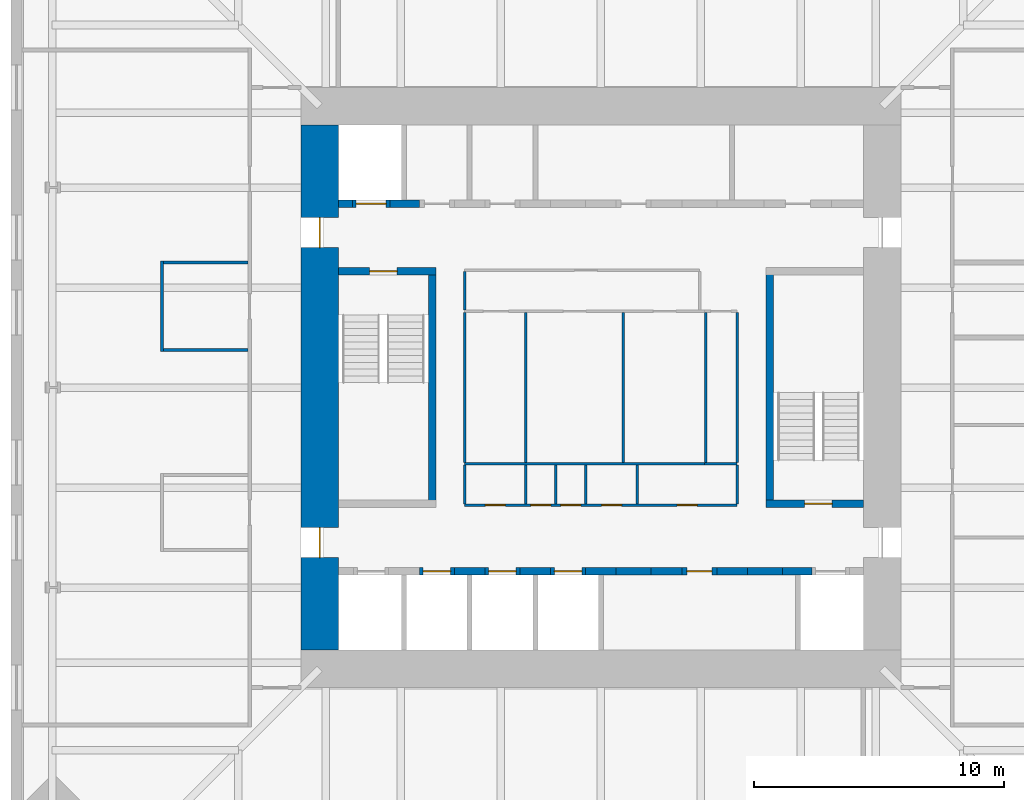
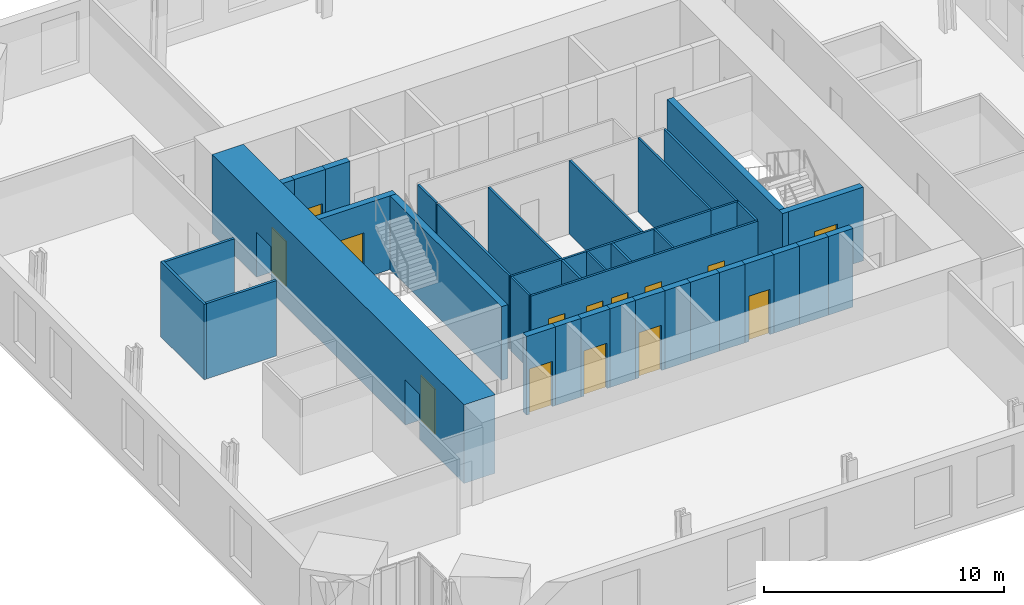
# One storey, part 11 of 14: 38 walls, 14 doors, 14 openings.
"""IFC4 building model written with IfcOpenShell, lengths in metres."""

from ifc_helpers import new_model, si_unit, direction, frame, frame_2d, origin, place, context, subcontext, project, spatial, rectangle, extrude, material, layer, layer_set, type_object, element, fill, save


model = new_model("IFC4")

# Units and contexts
model_context = context("Model", 3, precision=1e-05, world=origin(), true_north=direction((0.0, 1.0)))
body_context = subcontext(model_context, "Body", "Model", "MODEL_VIEW")
ifc_project = project(units=[si_unit("LENGTHUNIT", "METRE"), si_unit("AREAUNIT", "SQUARE_METRE"), si_unit("VOLUMEUNIT", "CUBIC_METRE"), si_unit("PLANEANGLEUNIT", "RADIAN"), si_unit("MASSUNIT", "GRAM", prefix="KILO")], contexts=[model_context])

# Site, building, storey
site_placement = place(None, origin())
site = spatial("IfcSite", under=ifc_project, at=site_placement, CompositionType="ELEMENT")
building_placement = place(site_placement, origin())
building = spatial("IfcBuilding", under=site, at=building_placement, Name="Peilmerk Tower", CompositionType="ELEMENT")
storey_placement = place(building_placement, frame((0.0, 0.0, 221.800048828125)))
storey = spatial("IfcBuildingStorey", under=building, at=storey_placement, Name="L48", CompositionType="ELEMENT", Elevation=221.800048828125)

# Wall
ifc_material_1 = material(Name="Concrete C35/45", Category="concrete")
ifc_layer_1 = layer(ifc_material_1, 0.300048828125)
ifc_layer_set_1 = layer_set([ifc_layer_1], Name="Concrete C35/45")
wall_type_1 = type_object("IfcWallType", Name="IW3 300 concrete stair enclosure wall, EI 120", PredefinedType="SOLIDWALL", material=ifc_layer_set_1)
wall_1_placement = place(storey_placement, frame((-6.75, -4.800048828125, 0.0), z_axis=(0.0, 0.0, 1.0), x_axis=(0.0, 1.0, 0.0)))
element("IfcWall", 1, at=wall_1_placement, inside=storey, type_object=wall_type_1, Name="Stair 1 enclosure L48", PredefinedType="SOLIDWALL", context=body_context, shape_type="SweptSolid", body=[
    extrude(rectangle(XDim=9.60009765625, YDim=0.300048828125, at=frame_2d((4.800048828125, 0.0))), origin(), (0.0, 0.0, 1.0), 3.75),
])

# Wall, opening, door
wall_2_placement = place(storey_placement, frame((-10.5, 4.64990234375, 0.0), z_axis=(0.0, 0.0, 1.0), x_axis=(1.0, 0.0, 0.0)))
wall_2 = element("IfcWall", 2, at=wall_2_placement, inside=storey, type_object=wall_type_1, Name="Stair 1 enclosure L48", PredefinedType="SOLIDWALL", context=body_context, shape_type="SweptSolid", body=[
    extrude(rectangle(XDim=3.89990234375, YDim=0.300048828125, at=frame_2d((1.949951171875, 0.0))), origin(), (0.0, 0.0, 1.0), 3.75),
])
opening_1_placement = place(wall_2_placement, frame((1.25, 0.0, 0.0)))
opening_1 = element("IfcOpeningElement", 3, at=opening_1_placement, cuts=wall_2, Name="Opening D4", PredefinedType="OPENING", context=body_context, shape_type="SweptSolid", body=[
    extrude(rectangle(XDim=1.10009765625, YDim=2.300048828125, at=frame_2d((0.550048828125, 1.14990234375))), frame((0.0, 0.159912109375, 0.0), z_axis=(0.0, -1.0, 0.0), x_axis=(1.0, 0.0, 0.0)), (0.0, 0.0, 1.0), 0.320068359375),
])
ifc_material_2 = material(Name="Steel door in steel frame", Category="steel")
door_type_1 = type_object("IfcDoorType", Name="D4 1100x2300 stair door, EI2 60", OperationType="SINGLE_SWING_RIGHT", PredefinedType="DOOR", material=ifc_material_2)
door_1_placement = place(opening_1_placement, frame((1.10009765625, 0.0, 0.0), z_axis=(0.0, 0.0, 1.0), x_axis=(-1.0, 0.0, 0.0)))
door_1 = element("IfcDoor", 4, at=door_1_placement, inside=storey, type_object=door_type_1, Name="Stair 1 door L48", OperationType="SINGLE_SWING_RIGHT", OverallHeight=2.300048828125, OverallWidth=1.10009765625, PredefinedType="DOOR", context=body_context, shape_type="SweptSolid", body=[
    extrude(rectangle(XDim=1.10009765625, YDim=2.300048828125, at=frame_2d((0.550048828125, 1.14990234375))), frame((0.0, 0.02490234375, 0.0), z_axis=(0.0, -1.0, 0.0), x_axis=(1.0, 0.0, 0.0)), (0.0, 0.0, 1.0), 0.050048828125),
])
fill(opening_1, door_1)

# Wall
wall_3_placement = place(storey_placement, frame((6.75, -4.800048828125, 0.0), z_axis=(0.0, 0.0, 1.0), x_axis=(0.0, 1.0, 0.0)))
element("IfcWall", 5, at=wall_3_placement, inside=storey, type_object=wall_type_1, Name="Stair 2 enclosure L48", PredefinedType="SOLIDWALL", context=body_context, shape_type="SweptSolid", body=[
    extrude(rectangle(XDim=9.60009765625, YDim=0.300048828125, at=frame_2d((4.800048828125, 0.0))), origin(), (0.0, 0.0, 1.0), 3.75),
])

# Wall, opening, door
wall_4_placement = place(storey_placement, frame((10.5, -4.64990234375, 0.0), z_axis=(0.0, 0.0, 1.0), x_axis=(-1.0, 0.0, 0.0)))
wall_4 = element("IfcWall", 6, at=wall_4_placement, inside=storey, type_object=wall_type_1, Name="Stair 2 enclosure L48", PredefinedType="SOLIDWALL", context=body_context, shape_type="SweptSolid", body=[
    extrude(rectangle(XDim=3.89990234375, YDim=0.300048828125, at=frame_2d((1.949951171875, 0.0))), origin(), (0.0, 0.0, 1.0), 3.75),
])
opening_2_placement = place(wall_4_placement, frame((1.25, 0.0, 0.0)))
opening_2 = element("IfcOpeningElement", 7, at=opening_2_placement, cuts=wall_4, Name="Opening D4", PredefinedType="OPENING", context=body_context, shape_type="SweptSolid", body=[
    extrude(rectangle(XDim=1.10009765625, YDim=2.300048828125, at=frame_2d((0.550048828125, 1.14990234375))), frame((0.0, 0.159912109375, 0.0), z_axis=(0.0, -1.0, 0.0), x_axis=(1.0, 0.0, 0.0)), (0.0, 0.0, 1.0), 0.320068359375),
])
door_2_placement = place(opening_2_placement, frame((1.10009765625, 0.0, 0.0), z_axis=(0.0, 0.0, 1.0), x_axis=(-1.0, 0.0, 0.0)))
door_2 = element("IfcDoor", 8, at=door_2_placement, inside=storey, type_object=door_type_1, Name="Stair 2 door L48", OperationType="SINGLE_SWING_RIGHT", OverallHeight=2.300048828125, OverallWidth=1.10009765625, PredefinedType="DOOR", context=body_context, shape_type="SweptSolid", body=[
    extrude(rectangle(XDim=1.10009765625, YDim=2.300048828125, at=frame_2d((0.550048828125, 1.14990234375))), frame((0.0, 0.02490234375, 0.0), z_axis=(0.0, -1.0, 0.0), x_axis=(1.0, 0.0, 0.0)), (0.0, 0.0, 1.0), 0.050048828125),
])
fill(opening_2, door_2)

# Walls
ifc_material_3 = material(Name="Plasterboard on steel studs", Category="steel")
ifc_layer_2 = layer(ifc_material_3, 0.10009765625)
ifc_layer_set_2 = layer_set([ifc_layer_2], Name="Plasterboard on steel studs")
wall_type_2 = type_object("IfcWallType", Name="IW4 100 WC partition", PredefinedType="PARTITIONING", material=ifc_layer_set_2)
wall_5_placement = place(storey_placement, frame((4.14990234375, -3.050048828125, 0.0), z_axis=(0.0, 0.0, 1.0), x_axis=(-1.0, 0.0, 0.0)))
element("IfcWall", 9, at=wall_5_placement, inside=storey, type_object=wall_type_2, Name="WC wall L48", PredefinedType="PARTITIONING", context=body_context, shape_type="SweptSolid", body=[
    extrude(rectangle(XDim=9.599853515625, YDim=0.10009765625, at=frame_2d((4.7998046875, 0.0))), origin(), (0.0, 0.0, 1.0), 3.75),
])
for number, where, z_axis, x_axis, name in (
    (10, (-5.449951171875, -3.0, 0.0), (0.0, 0.0, 1.0), (0.0, 1.0, 0.0), "WC wall L48"),
    (11, (-3.0, -3.0, 0.0), (0.0, 0.0, 1.0), (0.0, 1.0, 0.0), "WC wall L48"),
    (12, (0.89990234375, -3.0, 0.0), (0.0, 0.0, 1.0), (0.0, 1.0, 0.0), "WC wall L48"),
):
    element("IfcWall", number, at=place(storey_placement, frame(where, z_axis=z_axis, x_axis=x_axis)), inside=storey, type_object=wall_type_2, Name=name, PredefinedType="PARTITIONING", context=body_context, shape_type="SweptSolid", body=[
        extrude(rectangle(XDim=6.0, YDim=0.10009765625, at=frame_2d((3.0, 0.0))), origin(), (0.0, 0.0, 1.0), 3.75),
    ])
ifc_material_4 = material(Name="Calcium silicate board on steel studs", Category="steel")
ifc_layer_3 = layer(ifc_material_4, 0.10009765625)
ifc_layer_set_3 = layer_set([ifc_layer_3], Name="Calcium silicate board on steel studs")
wall_type_3 = type_object("IfcWallType", Name="IW5 100 riser enclosure wall, EI 60", PredefinedType="PARTITIONING", material=ifc_layer_set_3)
wall_6_placement = place(storey_placement, frame((5.449951171875, -3.050048828125, 0.0), z_axis=(0.0, 0.0, 1.0), x_axis=(-1.0, 0.0, 0.0)))
element("IfcWall", 13, at=wall_6_placement, inside=storey, type_object=wall_type_3, Name="Riser wall L48", PredefinedType="PARTITIONING", context=body_context, shape_type="SweptSolid", body=[
    extrude(rectangle(XDim=1.300048828125, YDim=0.10009765625, at=frame_2d((0.64990234375, 0.0))), origin(), (0.0, 0.0, 1.0), 3.75),
])
for number, where, z_axis, x_axis, name in (
    (14, (5.449951171875, 3.0, 0.0), (0.0, 0.0, 1.0), (0.0, -1.0, 0.0), "Riser wall L48"),
    (15, (4.199951171875, -3.0, 0.0), (0.0, 0.0, 1.0), (0.0, 1.0, 0.0), "Riser wall L48"),
):
    element("IfcWall", number, at=place(storey_placement, frame(where, z_axis=z_axis, x_axis=x_axis)), inside=storey, type_object=wall_type_3, Name=name, PredefinedType="PARTITIONING", context=body_context, shape_type="SweptSolid", body=[
        extrude(rectangle(XDim=6.0, YDim=0.10009765625, at=frame_2d((3.0, 0.0))), origin(), (0.0, 0.0, 1.0), 3.75),
    ])

# Wall, openings, doors
wall_7_placement = place(storey_placement, frame((5.449951171875, -4.699951171875, 0.0), z_axis=(0.0, 0.0, 1.0), x_axis=(-1.0, 0.0, 0.0)))
wall_7 = element("IfcWall", 16, at=wall_7_placement, inside=storey, type_object=wall_type_3, Name="Riser wall L48", PredefinedType="PARTITIONING", context=body_context, shape_type="SweptSolid", body=[
    extrude(rectangle(XDim=10.89990234375, YDim=0.10009765625, at=frame_2d((5.449951171875, 0.0))), origin(), (0.0, 0.0, 1.0), 3.75),
])
opening_3_placement = place(wall_7_placement, frame((9.27490234375, 0.0, 0.0)))
opening_3 = element("IfcOpeningElement", 17, at=opening_3_placement, cuts=wall_7, Name="Opening D7", PredefinedType="OPENING", context=body_context, shape_type="SweptSolid", body=[
    extrude(rectangle(XDim=0.800048828125, YDim=2.300048828125, at=frame_2d((0.39990234375, 1.14990234375))), frame((0.0, 0.06005859375, 0.0), z_axis=(0.0, -1.0, 0.0), x_axis=(1.0, 0.0, 0.0)), (0.0, 0.0, 1.0), 0.1201171875),
])
opening_4_placement = place(wall_7_placement, frame((7.449951171875, 0.0, 0.0)))
opening_4 = element("IfcOpeningElement", 18, at=opening_4_placement, cuts=wall_7, Name="Opening D7", PredefinedType="OPENING", context=body_context, shape_type="SweptSolid", body=[
    extrude(rectangle(XDim=0.800048828125, YDim=2.300048828125, at=frame_2d((0.39990234375, 1.14990234375))), frame((0.0, 0.06005859375, 0.0), z_axis=(0.0, -1.0, 0.0), x_axis=(1.0, 0.0, 0.0)), (0.0, 0.0, 1.0), 0.1201171875),
])
opening_5_placement = place(wall_7_placement, frame((6.25, 0.0, 0.0)))
opening_5 = element("IfcOpeningElement", 19, at=opening_5_placement, cuts=wall_7, Name="Opening D7", PredefinedType="OPENING", context=body_context, shape_type="SweptSolid", body=[
    extrude(rectangle(XDim=0.800048828125, YDim=2.300048828125, at=frame_2d((0.39990234375, 1.14990234375))), frame((0.0, 0.06005859375, 0.0), z_axis=(0.0, -1.0, 0.0), x_axis=(1.0, 0.0, 0.0)), (0.0, 0.0, 1.0), 0.1201171875),
])
opening_6_placement = place(wall_7_placement, frame((4.625, 0.0, 0.0)))
opening_6 = element("IfcOpeningElement", 20, at=opening_6_placement, cuts=wall_7, Name="Opening D7", PredefinedType="OPENING", context=body_context, shape_type="SweptSolid", body=[
    extrude(rectangle(XDim=0.800048828125, YDim=2.300048828125, at=frame_2d((0.39990234375, 1.14990234375))), frame((0.0, 0.06005859375, 0.0), z_axis=(0.0, -1.0, 0.0), x_axis=(1.0, 0.0, 0.0)), (0.0, 0.0, 1.0), 0.1201171875),
])
opening_7_placement = place(wall_7_placement, frame((1.60009765625, 0.0, 0.0)))
opening_7 = element("IfcOpeningElement", 21, at=opening_7_placement, cuts=wall_7, Name="Opening D7", PredefinedType="OPENING", context=body_context, shape_type="SweptSolid", body=[
    extrude(rectangle(XDim=0.800048828125, YDim=2.300048828125, at=frame_2d((0.39990234375, 1.14990234375))), frame((0.0, 0.06005859375, 0.0), z_axis=(0.0, -1.0, 0.0), x_axis=(1.0, 0.0, 0.0)), (0.0, 0.0, 1.0), 0.1201171875),
])
door_type_2 = type_object("IfcDoorType", Name="D7 800x2300 riser access door, EI2 60", OperationType="SINGLE_SWING_RIGHT", PredefinedType="DOOR", material=ifc_material_2)
door_3_placement = place(opening_3_placement, frame((0.800048828125, 0.0, 0.0), z_axis=(0.0, 0.0, 1.0), x_axis=(-1.0, 0.0, 0.0)))
door_3 = element("IfcDoor", 22, at=door_3_placement, inside=storey, type_object=door_type_2, Name="Cleaner's cupboard door L48", OperationType="SINGLE_SWING_RIGHT", OverallHeight=2.300048828125, OverallWidth=0.800048828125, PredefinedType="DOOR", context=body_context, shape_type="SweptSolid", body=[
    extrude(rectangle(XDim=0.800048828125, YDim=2.300048828125, at=frame_2d((0.39990234375, 1.14990234375))), frame((0.0, 0.02490234375, 0.0), z_axis=(0.0, -1.0, 0.0), x_axis=(1.0, 0.0, 0.0)), (0.0, 0.0, 1.0), 0.050048828125),
])
fill(opening_3, door_3)
door_4_placement = place(opening_4_placement, frame((0.800048828125, 0.0, 0.0), z_axis=(0.0, 0.0, 1.0), x_axis=(-1.0, 0.0, 0.0)))
door_4 = element("IfcDoor", 23, at=door_4_placement, inside=storey, type_object=door_type_2, Name="Electrical riser door L48", OperationType="SINGLE_SWING_RIGHT", OverallHeight=2.300048828125, OverallWidth=0.800048828125, PredefinedType="DOOR", context=body_context, shape_type="SweptSolid", body=[
    extrude(rectangle(XDim=0.800048828125, YDim=2.300048828125, at=frame_2d((0.39990234375, 1.14990234375))), frame((0.0, 0.02490234375, 0.0), z_axis=(0.0, -1.0, 0.0), x_axis=(1.0, 0.0, 0.0)), (0.0, 0.0, 1.0), 0.050048828125),
])
fill(opening_4, door_4)
door_5_placement = place(opening_5_placement, frame((0.800048828125, 0.0, 0.0), z_axis=(0.0, 0.0, 1.0), x_axis=(-1.0, 0.0, 0.0)))
door_5 = element("IfcDoor", 24, at=door_5_placement, inside=storey, type_object=door_type_2, Name="Data riser door L48", OperationType="SINGLE_SWING_RIGHT", OverallHeight=2.300048828125, OverallWidth=0.800048828125, PredefinedType="DOOR", context=body_context, shape_type="SweptSolid", body=[
    extrude(rectangle(XDim=0.800048828125, YDim=2.300048828125, at=frame_2d((0.39990234375, 1.14990234375))), frame((0.0, 0.02490234375, 0.0), z_axis=(0.0, -1.0, 0.0), x_axis=(1.0, 0.0, 0.0)), (0.0, 0.0, 1.0), 0.050048828125),
])
fill(opening_5, door_5)
door_6_placement = place(opening_6_placement, frame((0.800048828125, 0.0, 0.0), z_axis=(0.0, 0.0, 1.0), x_axis=(-1.0, 0.0, 0.0)))
door_6 = element("IfcDoor", 25, at=door_6_placement, inside=storey, type_object=door_type_2, Name="Electrical room door L48", OperationType="SINGLE_SWING_RIGHT", OverallHeight=2.300048828125, OverallWidth=0.800048828125, PredefinedType="DOOR", context=body_context, shape_type="SweptSolid", body=[
    extrude(rectangle(XDim=0.800048828125, YDim=2.300048828125, at=frame_2d((0.39990234375, 1.14990234375))), frame((0.0, 0.02490234375, 0.0), z_axis=(0.0, -1.0, 0.0), x_axis=(1.0, 0.0, 0.0)), (0.0, 0.0, 1.0), 0.050048828125),
])
fill(opening_6, door_6)
door_7_placement = place(opening_7_placement, frame((0.800048828125, 0.0, 0.0), z_axis=(0.0, 0.0, 1.0), x_axis=(-1.0, 0.0, 0.0)))
door_7 = element("IfcDoor", 26, at=door_7_placement, inside=storey, type_object=door_type_2, Name="Comms room door L48", OperationType="SINGLE_SWING_RIGHT", OverallHeight=2.300048828125, OverallWidth=0.800048828125, PredefinedType="DOOR", context=body_context, shape_type="SweptSolid", body=[
    extrude(rectangle(XDim=0.800048828125, YDim=2.300048828125, at=frame_2d((0.39990234375, 1.14990234375))), frame((0.0, 0.02490234375, 0.0), z_axis=(0.0, -1.0, 0.0), x_axis=(1.0, 0.0, 0.0)), (0.0, 0.0, 1.0), 0.050048828125),
])
fill(opening_7, door_7)

# Walls
for number, where, z_axis, x_axis, name in (
    (27, (-5.449951171875, -3.10009765625, 0.0), (0.0, 0.0, 1.0), (0.0, -1.0, 0.0), "Riser wall L48"),
    (28, (5.449951171875, -3.10009765625, 0.0), (0.0, 0.0, 1.0), (0.0, -1.0, 0.0), "Riser wall L48"),
    (29, (-3.0, -3.10009765625, 0.0), (0.0, 0.0, 1.0), (0.0, -1.0, 0.0), "Riser wall L48"),
    (30, (-1.800048828125, -3.10009765625, 0.0), (0.0, 0.0, 1.0), (0.0, -1.0, 0.0), "Riser wall L48"),
    (31, (-0.60009765625, -3.10009765625, 0.0), (0.0, 0.0, 1.0), (0.0, -1.0, 0.0), "Riser wall L48"),
    (32, (1.449951171875, -3.10009765625, 0.0), (0.0, 0.0, 1.0), (0.0, -1.0, 0.0), "Riser wall L48"),
):
    element("IfcWall", number, at=place(storey_placement, frame(where, z_axis=z_axis, x_axis=x_axis)), inside=storey, type_object=wall_type_3, Name=name, PredefinedType="PARTITIONING", context=body_context, shape_type="SweptSolid", body=[
        extrude(rectangle(XDim=1.5498046875, YDim=0.10009765625, at=frame_2d((0.77490234375, 0.0))), origin(), (0.0, 0.0, 1.0), 3.75),
    ])
ifc_material_5 = material(Name="Plasterboard on steel studs, double boarded with mineral wool", Category="steel")
ifc_layer_4 = layer(ifc_material_5, 0.125)
ifc_layer_set_4 = layer_set([ifc_layer_4], Name="Plasterboard on steel studs, double boarded with mineral wool")
wall_type_4 = type_object("IfcWallType", Name="IW7 125 acoustic partition, EI 30", PredefinedType="PARTITIONING", material=ifc_layer_set_4)
wall_8_placement = place(storey_placement, frame((-17.550048828125, 1.4375, 0.0), z_axis=(0.0, 0.0, 1.0), x_axis=(0.0, 1.0, 0.0)))
element("IfcWall", 33, at=wall_8_placement, inside=storey, type_object=wall_type_4, Name="Acoustic partition Pantry L48", PredefinedType="PARTITIONING", context=body_context, shape_type="SweptSolid", body=[
    extrude(rectangle(XDim=3.625, YDim=0.125, at=frame_2d((1.8125, 0.0))), origin(), (0.0, 0.0, 1.0), 3.829833984375),
])
for number, where, z_axis, x_axis, name in (
    (34, (-14.125, 1.5, 0.0), (0.0, 0.0, 1.0), (-1.0, 0.0, 0.0), "Acoustic partition Pantry L48"),
    (35, (-14.125, 5.0, 0.0), (0.0, 0.0, 1.0), (-1.0, 0.0, 0.0), "Acoustic partition Pantry L48"),
):
    element("IfcWall", number, at=place(storey_placement, frame(where, z_axis=z_axis, x_axis=x_axis)), inside=storey, type_object=wall_type_4, Name=name, PredefinedType="PARTITIONING", context=body_context, shape_type="SweptSolid", body=[
        extrude(rectangle(XDim=3.362548828125, YDim=0.125, at=frame_2d((1.68115234375, 0.0))), origin(), (0.0, 0.0, 1.0), 3.829833984375),
    ])
ifc_material_6 = material(Name="Fire-resisting plasterboard on steel studs", Category="steel")
ifc_layer_5 = layer(ifc_material_6, 0.10009765625)
ifc_layer_set_5 = layer_set([ifc_layer_5], Name="Fire-resisting plasterboard on steel studs")
wall_type_5 = type_object("IfcWallType", Name="IW9 100 WC lobby wall, EI 30", PredefinedType="PARTITIONING", material=ifc_layer_set_5)
wall_9_placement = place(storey_placement, frame((-5.449951171875, 3.10009765625, 0.0), z_axis=(0.0, 0.0, 1.0), x_axis=(0.0, 1.0, 0.0)))
element("IfcWall", 36, at=wall_9_placement, inside=storey, type_object=wall_type_5, Name="WC lobby wall L48", PredefinedType="PARTITIONING", context=body_context, shape_type="SweptSolid", body=[
    extrude(rectangle(XDim=1.5498046875, YDim=0.10009765625, at=frame_2d((0.77490234375, 0.0))), origin(), (0.0, 0.0, 1.0), 3.75),
])

# Wall, opening, door
ifc_material_7 = material(Name="Calcium silicate block", Category="masonry")
ifc_layer_6 = layer(ifc_material_7, 0.300048828125)
ifc_layer_set_6 = layer_set([ifc_layer_6], Name="Calcium silicate block")
wall_type_6 = type_object("IfcWallType", Name="SH2 300 lift landing door panel, EI 120", PredefinedType="PARTITIONING", material=ifc_layer_set_6)
wall_10_placement = place(storey_placement, frame((-9.9375, 7.35009765625, 0.0), z_axis=(0.0, 0.0, 1.0), x_axis=(1.0, 0.0, 0.0)))
wall_10 = element("IfcWall", 37, at=wall_10_placement, inside=storey, type_object=wall_type_6, Name="Lift door panel N FL1 L48", PredefinedType="PARTITIONING", context=body_context, shape_type="SweptSolid", body=[
    extrude(rectangle(XDim=1.5, YDim=0.300048828125, at=frame_2d((0.75, 0.0))), origin(), (0.0, 0.0, 1.0), 4.0),
])
opening_8_placement = place(wall_10_placement, frame((0.14990234375, 0.0, 0.0)))
opening_8 = element("IfcOpeningElement", 38, at=opening_8_placement, cuts=wall_10, Name="Opening LD2", PredefinedType="OPENING", context=body_context, shape_type="SweptSolid", body=[
    extrude(rectangle(XDim=1.199951171875, YDim=2.300048828125, at=frame_2d((0.60009765625, 1.14990234375))), frame((0.0, 0.159912109375, 0.0), z_axis=(0.0, -1.0, 0.0), x_axis=(1.0, 0.0, 0.0)), (0.0, 0.0, 1.0), 0.320068359375),
])
ifc_material_8 = material(Name="Stainless steel landing door", Category="steel")
door_type_3 = type_object("IfcDoorType", Name="LD2 1200x2300 lift landing door, sliding, EI2 60", OperationType="SLIDING_TO_LEFT", PredefinedType="DOOR", material=ifc_material_8)
door_8_placement = place(opening_8_placement, frame((1.199951171875, 0.0, 0.0), z_axis=(0.0, 0.0, 1.0), x_axis=(-1.0, 0.0, 0.0)))
door_8 = element("IfcDoor", 39, at=door_8_placement, inside=storey, type_object=door_type_3, Name="Lift landing door FL1 L48", OperationType="SLIDING_TO_LEFT", OverallHeight=2.300048828125, OverallWidth=1.199951171875, PredefinedType="DOOR", context=body_context, shape_type="SweptSolid", body=[
    extrude(rectangle(XDim=1.199951171875, YDim=2.300048828125, at=frame_2d((0.60009765625, 1.14990234375))), frame((0.0, 0.02490234375, 0.0), z_axis=(0.0, -1.0, 0.0), x_axis=(1.0, 0.0, 0.0)), (0.0, 0.0, 1.0), 0.050048828125),
])
fill(opening_8, door_8)

wall_11_placement = place(storey_placement, frame((-7.262451171875, -7.35009765625, 0.0), z_axis=(0.0, 0.0, 1.0), x_axis=(1.0, 0.0, 0.0)))
wall_11 = element("IfcWall", 40, at=wall_11_placement, inside=storey, type_object=wall_type_6, Name="Lift door panel S C3 L48", PredefinedType="PARTITIONING", context=body_context, shape_type="SweptSolid", body=[
    extrude(rectangle(XDim=1.39990234375, YDim=0.300048828125, at=frame_2d((0.699951171875, 0.0))), origin(), (0.0, 0.0, 1.0), 4.0),
])
opening_9_placement = place(wall_11_placement, frame((0.14990234375, 0.0, 0.0)))
opening_9 = element("IfcOpeningElement", 41, at=opening_9_placement, cuts=wall_11, Name="Opening LD1", PredefinedType="OPENING", context=body_context, shape_type="SweptSolid", body=[
    extrude(rectangle(XDim=1.10009765625, YDim=2.300048828125, at=frame_2d((0.550048828125, 1.14990234375))), frame((0.0, 0.159912109375, 0.0), z_axis=(0.0, -1.0, 0.0), x_axis=(1.0, 0.0, 0.0)), (0.0, 0.0, 1.0), 0.320068359375),
])
door_type_4 = type_object("IfcDoorType", Name="LD1 1100x2300 lift landing door, sliding, EI2 60", OperationType="SLIDING_TO_LEFT", PredefinedType="DOOR", material=ifc_material_8)
door_9_placement = place(opening_9_placement, origin())
door_9 = element("IfcDoor", 42, at=door_9_placement, inside=storey, type_object=door_type_4, Name="Lift landing door C3 L48", OperationType="SLIDING_TO_LEFT", OverallHeight=2.300048828125, OverallWidth=1.10009765625, PredefinedType="DOOR", context=body_context, shape_type="SweptSolid", body=[
    extrude(rectangle(XDim=1.10009765625, YDim=2.300048828125, at=frame_2d((0.550048828125, 1.14990234375))), frame((0.0, 0.02490234375, 0.0), z_axis=(0.0, -1.0, 0.0), x_axis=(1.0, 0.0, 0.0)), (0.0, 0.0, 1.0), 0.050048828125),
])
fill(opening_9, door_9)

wall_12_placement = place(storey_placement, frame((-4.637451171875, -7.35009765625, 0.0), z_axis=(0.0, 0.0, 1.0), x_axis=(1.0, 0.0, 0.0)))
wall_12 = element("IfcWall", 43, at=wall_12_placement, inside=storey, type_object=wall_type_6, Name="Lift door panel S C2 L48", PredefinedType="PARTITIONING", context=body_context, shape_type="SweptSolid", body=[
    extrude(rectangle(XDim=1.39990234375, YDim=0.300048828125, at=frame_2d((0.699951171875, 0.0))), origin(), (0.0, 0.0, 1.0), 4.0),
])
opening_10_placement = place(wall_12_placement, frame((0.14990234375, 0.0, 0.0)))
opening_10 = element("IfcOpeningElement", 44, at=opening_10_placement, cuts=wall_12, Name="Opening LD1", PredefinedType="OPENING", context=body_context, shape_type="SweptSolid", body=[
    extrude(rectangle(XDim=1.10009765625, YDim=2.300048828125, at=frame_2d((0.550048828125, 1.14990234375))), frame((0.0, 0.159912109375, 0.0), z_axis=(0.0, -1.0, 0.0), x_axis=(1.0, 0.0, 0.0)), (0.0, 0.0, 1.0), 0.320068359375),
])
door_10_placement = place(opening_10_placement, origin())
door_10 = element("IfcDoor", 45, at=door_10_placement, inside=storey, type_object=door_type_4, Name="Lift landing door C2 L48", OperationType="SLIDING_TO_LEFT", OverallHeight=2.300048828125, OverallWidth=1.10009765625, PredefinedType="DOOR", context=body_context, shape_type="SweptSolid", body=[
    extrude(rectangle(XDim=1.10009765625, YDim=2.300048828125, at=frame_2d((0.550048828125, 1.14990234375))), frame((0.0, 0.02490234375, 0.0), z_axis=(0.0, -1.0, 0.0), x_axis=(1.0, 0.0, 0.0)), (0.0, 0.0, 1.0), 0.050048828125),
])
fill(opening_10, door_10)

wall_13_placement = place(storey_placement, frame((-2.012451171875, -7.35009765625, 0.0), z_axis=(0.0, 0.0, 1.0), x_axis=(1.0, 0.0, 0.0)))
wall_13 = element("IfcWall", 46, at=wall_13_placement, inside=storey, type_object=wall_type_6, Name="Lift door panel S C1 L48", PredefinedType="PARTITIONING", context=body_context, shape_type="SweptSolid", body=[
    extrude(rectangle(XDim=1.39990234375, YDim=0.300048828125, at=frame_2d((0.699951171875, 0.0))), origin(), (0.0, 0.0, 1.0), 4.0),
])
opening_11_placement = place(wall_13_placement, frame((0.14990234375, 0.0, 0.0)))
opening_11 = element("IfcOpeningElement", 47, at=opening_11_placement, cuts=wall_13, Name="Opening LD1", PredefinedType="OPENING", context=body_context, shape_type="SweptSolid", body=[
    extrude(rectangle(XDim=1.10009765625, YDim=2.300048828125, at=frame_2d((0.550048828125, 1.14990234375))), frame((0.0, 0.159912109375, 0.0), z_axis=(0.0, -1.0, 0.0), x_axis=(1.0, 0.0, 0.0)), (0.0, 0.0, 1.0), 0.320068359375),
])
door_11_placement = place(opening_11_placement, origin())
door_11 = element("IfcDoor", 48, at=door_11_placement, inside=storey, type_object=door_type_4, Name="Lift landing door C1 L48", OperationType="SLIDING_TO_LEFT", OverallHeight=2.300048828125, OverallWidth=1.10009765625, PredefinedType="DOOR", context=body_context, shape_type="SweptSolid", body=[
    extrude(rectangle(XDim=1.10009765625, YDim=2.300048828125, at=frame_2d((0.550048828125, 1.14990234375))), frame((0.0, 0.02490234375, 0.0), z_axis=(0.0, -1.0, 0.0), x_axis=(1.0, 0.0, 0.0)), (0.0, 0.0, 1.0), 0.050048828125),
])
fill(opening_11, door_11)

# Wall
wall_14_placement = place(storey_placement, frame((0.612548828125, -7.35009765625, 0.0), z_axis=(0.0, 0.0, 1.0), x_axis=(1.0, 0.0, 0.0)))
element("IfcWall", 49, at=wall_14_placement, inside=storey, type_object=wall_type_6, Name="Lift door panel S B3 L48", PredefinedType="PARTITIONING", context=body_context, shape_type="SweptSolid", body=[
    extrude(rectangle(XDim=1.39990234375, YDim=0.300048828125, at=frame_2d((0.699951171875, 0.0))), origin(), (0.0, 0.0, 1.0), 4.0),
])

# Wall, opening, door
wall_15_placement = place(storey_placement, frame((3.237548828125, -7.35009765625, 0.0), z_axis=(0.0, 0.0, 1.0), x_axis=(1.0, 0.0, 0.0)))
wall_15 = element("IfcWall", 50, at=wall_15_placement, inside=storey, type_object=wall_type_6, Name="Lift door panel S B2 L48", PredefinedType="PARTITIONING", context=body_context, shape_type="SweptSolid", body=[
    extrude(rectangle(XDim=1.39990234375, YDim=0.300048828125, at=frame_2d((0.699951171875, 0.0))), origin(), (0.0, 0.0, 1.0), 4.0),
])
opening_12_placement = place(wall_15_placement, frame((0.199951171875, 0.0, 0.0)))
opening_12 = element("IfcOpeningElement", 51, at=opening_12_placement, cuts=wall_15, Name="Opening D10", PredefinedType="OPENING", context=body_context, shape_type="SweptSolid", body=[
    extrude(rectangle(XDim=1.0, YDim=2.300048828125, at=frame_2d((0.5, 1.14990234375))), frame((0.0, 0.159912109375, 0.0), z_axis=(0.0, -1.0, 0.0), x_axis=(1.0, 0.0, 0.0)), (0.0, 0.0, 1.0), 0.320068359375),
])
door_type_5 = type_object("IfcDoorType", Name="D10 1000x2300 core room door, EI2 60", OperationType="SINGLE_SWING_RIGHT", PredefinedType="DOOR", material=ifc_material_2)
door_12_placement = place(opening_12_placement, frame((1.0, 0.0, 0.0), z_axis=(0.0, 0.0, 1.0), x_axis=(-1.0, 0.0, 0.0)))
door_12 = element("IfcDoor", 52, at=door_12_placement, inside=storey, type_object=door_type_5, Name="Door Mail room L48", OperationType="SINGLE_SWING_RIGHT", OverallHeight=2.300048828125, OverallWidth=1.0, PredefinedType="DOOR", context=body_context, shape_type="SweptSolid", body=[
    extrude(rectangle(XDim=1.0, YDim=2.300048828125, at=frame_2d((0.5, 1.14990234375))), frame((0.0, 0.02490234375, 0.0), z_axis=(0.0, -1.0, 0.0), x_axis=(1.0, 0.0, 0.0)), (0.0, 0.0, 1.0), 0.050048828125),
])
fill(opening_12, door_12)

# Wall
wall_16_placement = place(storey_placement, frame((5.862548828125, -7.35009765625, 0.0), z_axis=(0.0, 0.0, 1.0), x_axis=(1.0, 0.0, 0.0)))
element("IfcWall", 53, at=wall_16_placement, inside=storey, type_object=wall_type_6, Name="Lift door panel S B1 L48", PredefinedType="PARTITIONING", context=body_context, shape_type="SweptSolid", body=[
    extrude(rectangle(XDim=1.39990234375, YDim=0.300048828125, at=frame_2d((0.699951171875, 0.0))), origin(), (0.0, 0.0, 1.0), 4.0),
])

# Wall, openings, doors
ifc_material_9 = material(Name="Concrete C55/67", Category="concrete")
ifc_layer_7 = layer(ifc_material_9, 1.5)
ifc_layer_set_7 = layer_set([ifc_layer_7], Name="Concrete C55/67")
wall_type_7 = type_object("IfcWallType", Name="SW1 1500 core wall", PredefinedType="SHEAR", material=ifc_layer_set_7)
wall_17_placement = place(storey_placement, frame((-11.25, -10.5, 0.0), z_axis=(0.0, 0.0, 1.0), x_axis=(0.0, 1.0, 0.0)))
wall_17 = element("IfcWall", 54, at=wall_17_placement, inside=storey, type_object=wall_type_7, Name="Core wall W L48", PredefinedType="SHEAR", context=body_context, shape_type="SweptSolid", body=[
    extrude(rectangle(XDim=21.0, YDim=1.5, at=frame_2d((10.5, 0.0))), origin(), (0.0, 0.0, 1.0), 4.0),
])
opening_13_placement = place(wall_17_placement, frame((16.10009765625, 0.0, 0.0)))
opening_13 = element("IfcOpeningElement", 55, at=opening_13_placement, cuts=wall_17, Name="Opening D3", PredefinedType="OPENING", context=body_context, shape_type="SweptSolid", body=[
    extrude(rectangle(XDim=1.199951171875, YDim=2.300048828125, at=frame_2d((0.60009765625, 1.14990234375))), frame((0.0, 0.760009765625, 0.0), z_axis=(0.0, -1.0, 0.0), x_axis=(1.0, 0.0, 0.0)), (0.0, 0.0, 1.0), 1.52001953125),
])
opening_14_placement = place(wall_17_placement, frame((3.699951171875, 0.0, 0.0)))
opening_14 = element("IfcOpeningElement", 56, at=opening_14_placement, cuts=wall_17, Name="Opening D3", PredefinedType="OPENING", context=body_context, shape_type="SweptSolid", body=[
    extrude(rectangle(XDim=1.199951171875, YDim=2.300048828125, at=frame_2d((0.60009765625, 1.14990234375))), frame((0.0, 0.760009765625, 0.0), z_axis=(0.0, -1.0, 0.0), x_axis=(1.0, 0.0, 0.0)), (0.0, 0.0, 1.0), 1.52001953125),
])
door_type_6 = type_object("IfcDoorType", Name="D3 1200x2300 core door, EI2 60", OperationType="SINGLE_SWING_LEFT", PredefinedType="DOOR", material=ifc_material_2)
door_13_placement = place(opening_13_placement, frame((1.199951171875, 0.0, 0.0), z_axis=(0.0, 0.0, 1.0), x_axis=(-1.0, 0.0, 0.0)))
door_13 = element("IfcDoor", 57, at=door_13_placement, inside=storey, type_object=door_type_6, Name="Core door L48", OperationType="SINGLE_SWING_LEFT", OverallHeight=2.300048828125, OverallWidth=1.199951171875, PredefinedType="DOOR", context=body_context, shape_type="SweptSolid", body=[
    extrude(rectangle(XDim=1.199951171875, YDim=2.300048828125, at=frame_2d((0.60009765625, 1.14990234375))), frame((0.0, 0.02490234375, 0.0), z_axis=(0.0, -1.0, 0.0), x_axis=(1.0, 0.0, 0.0)), (0.0, 0.0, 1.0), 0.050048828125),
])
fill(opening_13, door_13)
door_14_placement = place(opening_14_placement, frame((1.199951171875, 0.0, 0.0), z_axis=(0.0, 0.0, 1.0), x_axis=(-1.0, 0.0, 0.0)))
door_14 = element("IfcDoor", 58, at=door_14_placement, inside=storey, type_object=door_type_6, Name="Core door L48", OperationType="SINGLE_SWING_LEFT", OverallHeight=2.300048828125, OverallWidth=1.199951171875, PredefinedType="DOOR", context=body_context, shape_type="SweptSolid", body=[
    extrude(rectangle(XDim=1.199951171875, YDim=2.300048828125, at=frame_2d((0.60009765625, 1.14990234375))), frame((0.0, 0.02490234375, 0.0), z_axis=(0.0, -1.0, 0.0), x_axis=(1.0, 0.0, 0.0)), (0.0, 0.0, 1.0), 0.050048828125),
])
fill(opening_14, door_14)

# Walls
ifc_layer_8 = layer(ifc_material_9, 0.300048828125)
ifc_layer_set_8 = layer_set([ifc_layer_8], Name="Concrete C55/67")
wall_type_8 = type_object("IfcWallType", Name="SW2 300 lift bank pier", PredefinedType="SHEAR", material=ifc_layer_set_8)
wall_18_placement = place(storey_placement, frame((-10.5, 7.35009765625, 0.0), z_axis=(0.0, 0.0, 1.0), x_axis=(1.0, 0.0, 0.0)))
element("IfcWall", 59, at=wall_18_placement, inside=storey, type_object=wall_type_8, Name="Lift bank pier N L48", PredefinedType="SHEAR", context=body_context, shape_type="SweptSolid", body=[
    extrude(rectangle(XDim=0.5625, YDim=0.300048828125, at=frame_2d((0.28125, 0.0))), origin(), (0.0, 0.0, 1.0), 4.0),
])
wall_19_placement = place(storey_placement, frame((-8.4375, 7.35009765625, 0.0), z_axis=(0.0, 0.0, 1.0), x_axis=(1.0, 0.0, 0.0)))
element("IfcWall", 60, at=wall_19_placement, inside=storey, type_object=wall_type_8, Name="Lift bank pier N L48", PredefinedType="SHEAR", context=body_context, shape_type="SweptSolid", body=[
    extrude(rectangle(XDim=1.175048828125, YDim=0.300048828125, at=frame_2d((0.58740234375, 0.0))), origin(), (0.0, 0.0, 1.0), 4.0),
])
for number, where, z_axis, x_axis, name in (
    (61, (-5.862548828125, -7.35009765625, 0.0), (0.0, 0.0, 1.0), (1.0, 0.0, 0.0), "Lift bank pier S L48"),
    (62, (-3.237548828125, -7.35009765625, 0.0), (0.0, 0.0, 1.0), (1.0, 0.0, 0.0), "Lift bank pier S L48"),
    (63, (-0.612548828125, -7.35009765625, 0.0), (0.0, 0.0, 1.0), (1.0, 0.0, 0.0), "Lift bank pier S L48"),
    (64, (2.012451171875, -7.35009765625, 0.0), (0.0, 0.0, 1.0), (1.0, 0.0, 0.0), "Lift bank pier S L48"),
    (65, (4.637451171875, -7.35009765625, 0.0), (0.0, 0.0, 1.0), (1.0, 0.0, 0.0), "Lift bank pier S L48"),
):
    element("IfcWall", number, at=place(storey_placement, frame(where, z_axis=z_axis, x_axis=x_axis)), inside=storey, type_object=wall_type_8, Name=name, PredefinedType="SHEAR", context=body_context, shape_type="SweptSolid", body=[
        extrude(rectangle(XDim=1.22509765625, YDim=0.300048828125, at=frame_2d((0.612548828125, 0.0))), origin(), (0.0, 0.0, 1.0), 4.0),
    ])
wall_20_placement = place(storey_placement, frame((7.262451171875, -7.35009765625, 0.0), z_axis=(0.0, 0.0, 1.0), x_axis=(1.0, 0.0, 0.0)))
element("IfcWall", 66, at=wall_20_placement, inside=storey, type_object=wall_type_8, Name="Lift bank pier S L48", PredefinedType="SHEAR", context=body_context, shape_type="SweptSolid", body=[
    extrude(rectangle(XDim=1.175048828125, YDim=0.300048828125, at=frame_2d((0.58740234375, 0.0))), origin(), (0.0, 0.0, 1.0), 4.0),
])

save(model, "model.ifc")
